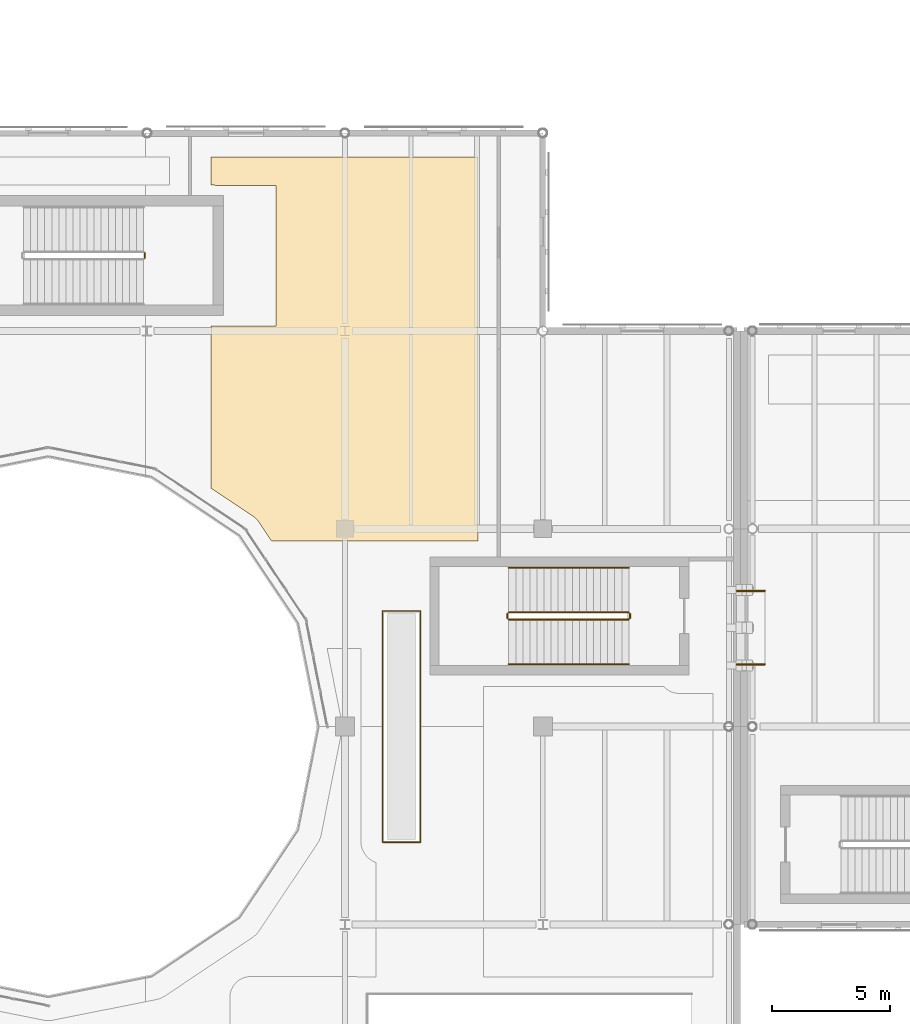
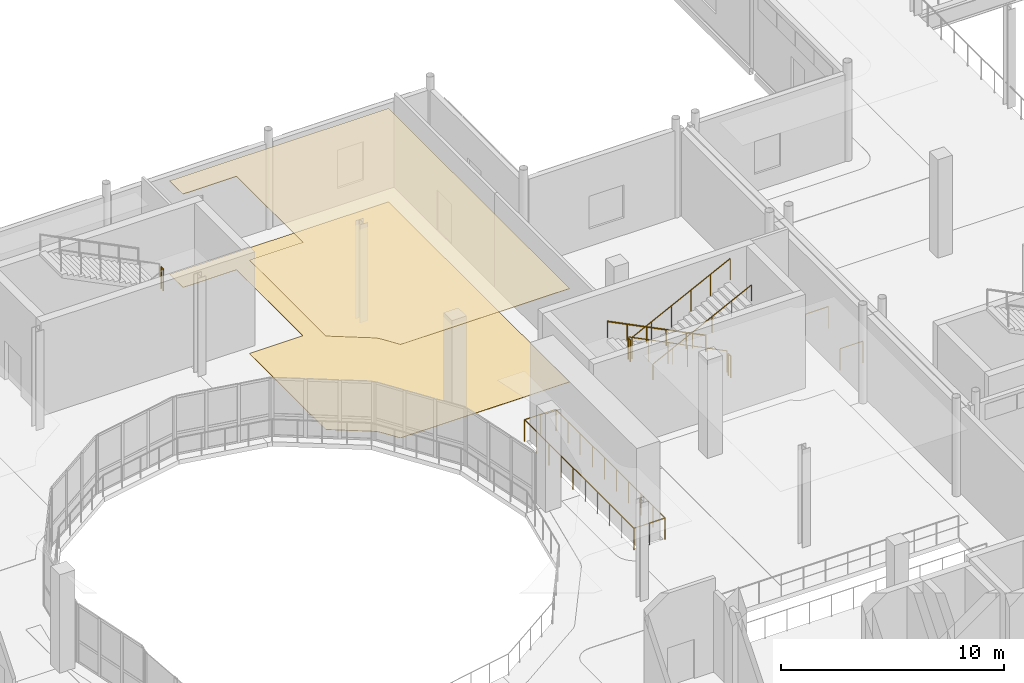
# One storey, part 97 of 110: 10 railings, 2 coverings.
"""IFC4 building model written with IfcOpenShell, lengths in metres."""

from ifc_helpers import new_model, si_unit, direction, frame, origin, origin_2d, place, context, subcontext, project, spatial, polyline, circle, outline, extrude, material, layer, layer_set, type_object, element, save


model = new_model("IFC4")

# Units and contexts
model_context = context("Model", 3, precision=1e-05, world=origin(), true_north=direction((0.0, 1.0)))
body_context = subcontext(model_context, "Body", "Model", "MODEL_VIEW")
ifc_project = project(units=[si_unit("LENGTHUNIT", "METRE"), si_unit("AREAUNIT", "SQUARE_METRE"), si_unit("VOLUMEUNIT", "CUBIC_METRE"), si_unit("PLANEANGLEUNIT", "RADIAN"), si_unit("MASSUNIT", "GRAM", prefix="KILO"), si_unit("THERMODYNAMICTEMPERATUREUNIT", "KELVIN")], contexts=[model_context])

# Site, building, storey
site_placement = place(None, origin())
site = spatial("IfcSite", under=ifc_project, at=site_placement, CompositionType="ELEMENT")
building_placement = place(site_placement, origin())
building = spatial("IfcBuilding", under=site, at=building_placement, Name="Lustrewick Department Store", CompositionType="ELEMENT")
storey_placement = place(building_placement, frame((0.0, 0.0, 6.0)))
storey = spatial("IfcBuildingStorey", under=building, at=storey_placement, Name="L02", CompositionType="ELEMENT", Elevation=6.0)

# Coverings
ifc_material_1 = material(Name="Perforated mineral-fibre acoustic ceiling board", Category="gypsum")
ifc_layer_1 = layer(ifc_material_1, 0.02490234375, Name="Perforated mineral-fibre acoustic ceiling board")
ifc_layer_set_1 = layer_set([ifc_layer_1], Name="Perforated mineral-fibre acoustic ceiling board")
covering_type_1 = type_object("IfcCoveringType", Name="COV-CEIL", PredefinedType="CEILING", material=ifc_layer_set_1)
covering_1_placement = place(storey_placement, frame((0.0, 0.0, 5.1201171875)))
element("IfcCovering", 1, at=covering_1_placement, inside=storey, type_object=covering_type_1, Name="L02 Menswear Tailoring Showroom Acoustic Ceiling", PredefinedType="CEILING", context=body_context, shape_type="SweptSolid", body=[
    extrude(outline(polyline([(47.64990234375, 75.090087890625), (47.64990234375, 91.3798828125), (36.302978515625, 91.3798828125), (36.302978515625, 90.18994140625), (36.403076171875, 90.18994140625), (36.48779296875, 90.185791015625), (36.526611328125, 90.179931640625), (39.080078125, 90.179931640625), (39.080078125, 84.219970703125), (36.526611328125, 84.219970703125), (36.48779296875, 84.214111328125), (36.403076171875, 84.2099609375), (36.302978515625, 84.2099609375), (36.302978515625, 77.33349609375), (38.061767578125, 76.158447265625), (38.094970703125, 76.135009765625), (38.11328125, 76.12158203125), (38.1787109375, 76.067626953125), (38.1962890625, 76.052001953125), (38.251953125, 75.99609375), (38.267578125, 75.978759765625), (38.321533203125, 75.9130859375), (38.335205078125, 75.89501953125), (38.3583984375, 75.86181640625), (38.874267578125, 75.090087890625), (47.64990234375, 75.090087890625)])), origin(), (0.0, 0.0, 1.0), 0.02490234375),
])
ifc_material_2 = material(Name="Polished terrazzo and porcelain floor finish", Category="masonry")
ifc_layer_2 = layer(ifc_material_2, 0.02001953125, Name="Polished terrazzo and porcelain floor finish")
ifc_layer_set_2 = layer_set([ifc_layer_2], Name="Polished terrazzo and porcelain floor finish")
covering_type_2 = type_object("IfcCoveringType", Name="COV-FLR", PredefinedType="FLOORING", material=ifc_layer_set_2)
covering_2_placement = place(storey_placement, origin())
element("IfcCovering", 2, at=covering_2_placement, inside=storey, type_object=covering_type_2, Name="L02 Menswear Tailoring Showroom Terrazzo Flooring", PredefinedType="FLOORING", context=body_context, shape_type="SweptSolid", body=[
    extrude(outline(polyline([(47.64990234375, 75.090087890625), (47.64990234375, 91.3798828125), (36.302978515625, 91.3798828125), (36.302978515625, 90.18994140625), (36.403076171875, 90.18994140625), (36.48779296875, 90.185791015625), (36.526611328125, 90.179931640625), (39.080078125, 90.179931640625), (39.080078125, 84.219970703125), (36.526611328125, 84.219970703125), (36.48779296875, 84.214111328125), (36.403076171875, 84.2099609375), (36.302978515625, 84.2099609375), (36.302978515625, 77.33349609375), (38.061767578125, 76.158447265625), (38.094970703125, 76.135009765625), (38.11328125, 76.12158203125), (38.1787109375, 76.067626953125), (38.1962890625, 76.052001953125), (38.251953125, 75.99609375), (38.267578125, 75.978759765625), (38.321533203125, 75.9130859375), (38.335205078125, 75.89501953125), (38.3583984375, 75.86181640625), (38.874267578125, 75.090087890625), (47.64990234375, 75.090087890625)])), origin(), (0.0, 0.0, 1.0), 0.02001953125),
])

# Railings
ifc_material_3 = material(Name="Laminated safety glass and bronze atrium balustrade", Category="glass")
railing_type_1 = type_object("IfcRailingType", Name="RL-BAL", PredefinedType="BALUSTRADE", material=ifc_material_3)
railing_1_placement = place(storey_placement, frame((43.590087890625, 62.2900390625, 0.0)))
element("IfcRailing", 3, at=railing_1_placement, inside=storey, type_object=railing_type_1, Name="L02 V1 Escalator Well Balustrade 0016", PredefinedType="BALUSTRADE", context=body_context, shape_type="SweptSolid", body=[
    extrude(circle(Radius=0.02392578125, at=origin_2d()), frame((0.0, 0.0, 1.17578125), z_axis=(0.0, 1.0, 0.0), x_axis=(-1.0, 0.0, 0.0)), (0.0, 0.0, 1.0), 9.820068359375),
    extrude(circle(Radius=0.02392578125, at=origin_2d()), frame((0.0, 9.820068359375, 1.17578125), z_axis=(1.0, 0.0, 0.0), x_axis=(0.0, 1.0, 0.0)), (0.0, 0.0, 1.0), 1.619873046875),
    extrude(circle(Radius=0.02392578125, at=origin_2d()), frame((1.619873046875, 9.820068359375, 1.17578125), z_axis=(0.0, -1.0, 0.0), x_axis=(1.0, 0.0, 0.0)), (0.0, 0.0, 1.0), 9.820068359375),
    extrude(circle(Radius=0.02392578125, at=origin_2d()), frame((1.619873046875, 0.0, 1.17578125), z_axis=(-1.0, 0.0, 0.0), x_axis=(0.0, -1.0, 0.0)), (0.0, 0.0, 1.0), 1.619873046875),
    extrude(circle(Radius=0.02099609375, at=origin_2d()), origin(), (0.0, 0.0, 1.0), 1.15185546875),
    extrude(circle(Radius=0.02099609375, at=origin_2d()), frame((0.0, 1.091064453125, 0.0)), (0.0, 0.0, 1.0), 1.15185546875),
    extrude(circle(Radius=0.02099609375, at=origin_2d()), frame((0.0, 2.18212890625, 0.0)), (0.0, 0.0, 1.0), 1.15185546875),
    extrude(circle(Radius=0.02099609375, at=origin_2d()), frame((0.0, 3.2734375, 0.0)), (0.0, 0.0, 1.0), 1.15185546875),
    extrude(circle(Radius=0.02099609375, at=origin_2d()), frame((0.0, 4.364501953125, 0.0)), (0.0, 0.0, 1.0), 1.15185546875),
    extrude(circle(Radius=0.02099609375, at=origin_2d()), frame((0.0, 5.45556640625, 0.0)), (0.0, 0.0, 1.0), 1.15185546875),
    extrude(circle(Radius=0.02099609375, at=origin_2d()), frame((0.0, 6.546630859375, 0.0)), (0.0, 0.0, 1.0), 1.15185546875),
    extrude(circle(Radius=0.02099609375, at=origin_2d()), frame((0.0, 7.637939453125, 0.0)), (0.0, 0.0, 1.0), 1.15185546875),
    extrude(circle(Radius=0.02099609375, at=origin_2d()), frame((0.0, 8.72900390625, 0.0)), (0.0, 0.0, 1.0), 1.15185546875),
    extrude(circle(Radius=0.02099609375, at=origin_2d()), frame((0.0, 9.820068359375, 0.0)), (0.0, 0.0, 1.0), 1.15185546875),
    extrude(circle(Radius=0.02099609375, at=origin_2d()), frame((0.81005859375, 9.820068359375, 0.0)), (0.0, 0.0, 1.0), 1.15185546875),
    extrude(circle(Radius=0.02099609375, at=origin_2d()), frame((1.619873046875, 9.820068359375, 0.0)), (0.0, 0.0, 1.0), 1.15185546875),
    extrude(circle(Radius=0.02099609375, at=origin_2d()), frame((1.619873046875, 8.72900390625, 0.0)), (0.0, 0.0, 1.0), 1.15185546875),
    extrude(circle(Radius=0.02099609375, at=origin_2d()), frame((1.619873046875, 7.637939453125, 0.0)), (0.0, 0.0, 1.0), 1.15185546875),
    extrude(circle(Radius=0.02099609375, at=origin_2d()), frame((1.619873046875, 6.546630859375, 0.0)), (0.0, 0.0, 1.0), 1.15185546875),
    extrude(circle(Radius=0.02099609375, at=origin_2d()), frame((1.619873046875, 5.45556640625, 0.0)), (0.0, 0.0, 1.0), 1.15185546875),
    extrude(circle(Radius=0.02099609375, at=origin_2d()), frame((1.619873046875, 4.364501953125, 0.0)), (0.0, 0.0, 1.0), 1.15185546875),
    extrude(circle(Radius=0.02099609375, at=origin_2d()), frame((1.619873046875, 3.2734375, 0.0)), (0.0, 0.0, 1.0), 1.15185546875),
    extrude(circle(Radius=0.02099609375, at=origin_2d()), frame((1.619873046875, 2.18212890625, 0.0)), (0.0, 0.0, 1.0), 1.15185546875),
    extrude(circle(Radius=0.02099609375, at=origin_2d()), frame((1.619873046875, 1.091064453125, 0.0)), (0.0, 0.0, 1.0), 1.15185546875),
    extrude(circle(Radius=0.02099609375, at=origin_2d()), frame((1.619873046875, 0.0, 0.0)), (0.0, 0.0, 1.0), 1.15185546875),
    extrude(circle(Radius=0.02099609375, at=origin_2d()), frame((0.81005859375, 0.0, 0.0)), (0.0, 0.0, 1.0), 1.15185546875),
])
for number, where, name in (
    (4, (58.639892578125, 69.840087890625, 0.0), "L02 Skybridge SB12 South Guard 0019"),
    (5, (58.639892578125, 72.9599609375, 0.0), "L02 Skybridge SB12 North Guard 0020"),
):
    element("IfcRailing", number, at=place(storey_placement, frame(where)), inside=storey, type_object=railing_type_1, Name=name, PredefinedType="BALUSTRADE", context=body_context, shape_type="SweptSolid", body=[
        extrude(circle(Radius=0.02392578125, at=origin_2d()), frame((0.0, 0.0, 1.17578125), z_axis=(1.0, 0.0, 0.0), x_axis=(0.0, 1.0, 0.0)), (0.0, 0.0, 1.0), 1.190185546875),
        extrude(circle(Radius=0.02099609375, at=origin_2d()), origin(), (0.0, 0.0, 1.0), 1.15185546875),
        extrude(circle(Radius=0.02099609375, at=origin_2d()), frame((1.190185546875, 0.0, 0.0)), (0.0, 0.0, 1.0), 1.15185546875),
    ])
ifc_material_4 = material(Name="Painted tubular steel stairwell guardrail", Category="steel")
railing_type_2 = type_object("IfcRailingType", Name="RL-STG", PredefinedType="GUARDRAIL", material=ifc_material_4)
railing_2_placement = place(storey_placement, frame((54.050048828125, 72.050048828125, 0.14990234375)))
element("IfcRailing", 6, at=railing_2_placement, inside=storey, type_object=railing_type_2, Name="L02 ST02 Stair Guard 1", PredefinedType="GUARDRAIL", context=body_context, shape_type="SweptSolid", body=[
    extrude(circle(Radius=0.02392578125, at=origin_2d()), frame((0.0, 0.0, 1.17578125), z_axis=(-0.894427191, 0.0, 0.4472135955), x_axis=(0.0, -1.0, 0.0)), (0.0, 0.0, 1.0), 5.7021484375),
    extrude(circle(Radius=0.02099609375, at=origin_2d()), origin(), (0.0, 0.0, 1.0), 1.15185546875),
    extrude(circle(Radius=0.02099609375, at=origin_2d()), frame((-1.02001953125, 0.0, 0.510009765625)), (0.0, 0.0, 1.0), 1.15185546875),
    extrude(circle(Radius=0.02099609375, at=origin_2d()), frame((-2.0400390625, 0.0, 1.02001953125)), (0.0, 0.0, 1.0), 1.15185546875),
    extrude(circle(Radius=0.02099609375, at=origin_2d()), frame((-3.06005859375, 0.0, 1.530029296875)), (0.0, 0.0, 1.0), 1.15185546875),
    extrude(circle(Radius=0.02099609375, at=origin_2d()), frame((-4.080078125, 0.0, 2.0400390625)), (0.0, 0.0, 1.0), 1.15185546875),
    extrude(circle(Radius=0.02099609375, at=origin_2d()), frame((-5.10009765625, 0.0, 2.550048828125)), (0.0, 0.0, 1.0), 1.15185546875),
])
railing_3_placement = place(storey_placement, frame((48.89990234375, 72.0, 2.699951171875)))
element("IfcRailing", 7, at=railing_3_placement, inside=storey, type_object=railing_type_2, Name="L02 ST02 Stair Guard 2", PredefinedType="GUARDRAIL", context=body_context, shape_type="SweptSolid", body=[
    extrude(circle(Radius=0.02392578125, at=origin_2d()), frame((0.0, 0.0, 1.17578125), z_axis=(0.0, -1.0, 0.0), x_axis=(1.0, 0.0, 0.0)), (0.0, 0.0, 1.0), 0.199951171875),
    extrude(circle(Radius=0.02099609375, at=origin_2d()), origin(), (0.0, 0.0, 1.0), 1.15185546875),
    extrude(circle(Radius=0.02099609375, at=origin_2d()), frame((0.0, -0.199951171875, 0.0)), (0.0, 0.0, 1.0), 1.15185546875),
])
railing_4_placement = place(storey_placement, frame((48.949951171875, 71.75, 2.85009765625)))
element("IfcRailing", 8, at=railing_4_placement, inside=storey, type_object=railing_type_2, Name="L02 ST02 Stair Guard 3", PredefinedType="GUARDRAIL", context=body_context, shape_type="SweptSolid", body=[
    extrude(circle(Radius=0.02392578125, at=origin_2d()), frame((0.0, 0.0, 1.17578125), z_axis=(0.89444431709, 0.0, 0.44717934168), x_axis=(0.0, 1.0, 0.0)), (0.0, 0.0, 1.0), 5.701904296875),
    extrude(circle(Radius=0.02099609375, at=origin_2d()), origin(), (0.0, 0.0, 1.0), 1.15185546875),
    extrude(circle(Radius=0.02099609375, at=origin_2d()), frame((1.02001953125, 0.0, 0.510009765625)), (0.0, 0.0, 1.0), 1.15185546875),
    extrude(circle(Radius=0.02099609375, at=origin_2d()), frame((2.0400390625, 0.0, 1.02001953125)), (0.0, 0.0, 1.0), 1.15185546875),
    extrude(circle(Radius=0.02099609375, at=origin_2d()), frame((3.06005859375, 0.0, 1.52978515625)), (0.0, 0.0, 1.0), 1.15185546875),
    extrude(circle(Radius=0.02099609375, at=origin_2d()), frame((4.080078125, 0.0, 2.039794921875)), (0.0, 0.0, 1.0), 1.15185546875),
    extrude(circle(Radius=0.02099609375, at=origin_2d()), frame((5.10009765625, 0.0, 2.5498046875)), (0.0, 0.0, 1.0), 1.15185546875),
])
railing_5_placement = place(storey_placement, frame((54.10009765625, 72.0, 0.0)))
element("IfcRailing", 9, at=railing_5_placement, inside=storey, type_object=railing_type_2, Name="L02 ST02 Stair Guard 4", PredefinedType="GUARDRAIL", context=body_context, shape_type="SweptSolid", body=[
    extrude(circle(Radius=0.02392578125, at=origin_2d()), frame((0.0, 0.0, 1.17578125), z_axis=(0.0, -1.0, 0.0), x_axis=(1.0, 0.0, 0.0)), (0.0, 0.0, 1.0), 0.199951171875),
    extrude(circle(Radius=0.02099609375, at=origin_2d()), origin(), (0.0, 0.0, 1.0), 1.15185546875),
    extrude(circle(Radius=0.02099609375, at=origin_2d()), frame((0.0, -0.199951171875, 0.0)), (0.0, 0.0, 1.0), 1.15185546875),
])
railing_6_placement = place(storey_placement, frame((33.5, 87.10009765625, 2.699951171875)))
element("IfcRailing", 10, at=railing_6_placement, inside=storey, type_object=railing_type_2, Name="L02 ST03 Stair Guard 2", PredefinedType="GUARDRAIL", context=body_context, shape_type="SweptSolid", body=[
    extrude(circle(Radius=0.02392578125, at=origin_2d()), frame((0.0, 0.0, 1.17578125), z_axis=(0.0, 1.0, 0.0), x_axis=(-1.0, 0.0, 0.0)), (0.0, 0.0, 1.0), 0.199951171875),
    extrude(circle(Radius=0.02099609375, at=origin_2d()), origin(), (0.0, 0.0, 1.0), 1.15185546875),
    extrude(circle(Radius=0.02099609375, at=origin_2d()), frame((0.0, 0.199951171875, 0.0)), (0.0, 0.0, 1.0), 1.15185546875),
])
ifc_material_5 = material(Name="Brushed stainless steel wall handrail", Category="steel")
railing_type_3 = type_object("IfcRailingType", Name="RL-STH", PredefinedType="HANDRAIL", material=ifc_material_5)
railing_7_placement = place(storey_placement, frame((54.050048828125, 73.949951171875, 0.14990234375)))
element("IfcRailing", 11, at=railing_7_placement, inside=storey, type_object=railing_type_3, Name="L02 ST02 Stair Handrail 1", PredefinedType="HANDRAIL", context=body_context, shape_type="SweptSolid", body=[
    extrude(circle(Radius=0.02392578125, at=origin_2d()), frame((0.0, 0.0, 0.8759765625), z_axis=(-0.894427191, 0.0, 0.4472135955), x_axis=(0.0, -1.0, 0.0)), (0.0, 0.0, 1.0), 5.7021484375),
    extrude(circle(Radius=0.02099609375, at=origin_2d()), origin(), (0.0, 0.0, 1.0), 0.851806640625),
    extrude(circle(Radius=0.02099609375, at=origin_2d()), frame((-1.02001953125, 0.0, 0.510009765625)), (0.0, 0.0, 1.0), 0.851806640625),
    extrude(circle(Radius=0.02099609375, at=origin_2d()), frame((-2.0400390625, 0.0, 1.02001953125)), (0.0, 0.0, 1.0), 0.851806640625),
    extrude(circle(Radius=0.02099609375, at=origin_2d()), frame((-3.06005859375, 0.0, 1.530029296875)), (0.0, 0.0, 1.0), 0.851806640625),
    extrude(circle(Radius=0.02099609375, at=origin_2d()), frame((-4.080078125, 0.0, 2.0400390625)), (0.0, 0.0, 1.0), 0.851806640625),
    extrude(circle(Radius=0.02099609375, at=origin_2d()), frame((-5.10009765625, 0.0, 2.550048828125)), (0.0, 0.0, 1.0), 0.851806640625),
])
railing_8_placement = place(storey_placement, frame((48.949951171875, 69.85009765625, 2.85009765625)))
element("IfcRailing", 12, at=railing_8_placement, inside=storey, type_object=railing_type_3, Name="L02 ST02 Stair Handrail 2", PredefinedType="HANDRAIL", context=body_context, shape_type="SweptSolid", body=[
    extrude(circle(Radius=0.02392578125, at=origin_2d()), frame((0.0, 0.0, 0.8759765625), z_axis=(0.89444431709, 0.0, 0.44717934168), x_axis=(0.0, 1.0, 0.0)), (0.0, 0.0, 1.0), 5.701904296875),
    extrude(circle(Radius=0.02099609375, at=origin_2d()), origin(), (0.0, 0.0, 1.0), 0.851806640625),
    extrude(circle(Radius=0.02099609375, at=origin_2d()), frame((1.02001953125, 0.0, 0.510009765625)), (0.0, 0.0, 1.0), 0.851806640625),
    extrude(circle(Radius=0.02099609375, at=origin_2d()), frame((2.0400390625, 0.0, 1.02001953125)), (0.0, 0.0, 1.0), 0.851806640625),
    extrude(circle(Radius=0.02099609375, at=origin_2d()), frame((3.06005859375, 0.0, 1.52978515625)), (0.0, 0.0, 1.0), 0.851806640625),
    extrude(circle(Radius=0.02099609375, at=origin_2d()), frame((4.080078125, 0.0, 2.039794921875)), (0.0, 0.0, 1.0), 0.851806640625),
    extrude(circle(Radius=0.02099609375, at=origin_2d()), frame((5.10009765625, 0.0, 2.5498046875)), (0.0, 0.0, 1.0), 0.851806640625),
])

save(model, "model.ifc")
